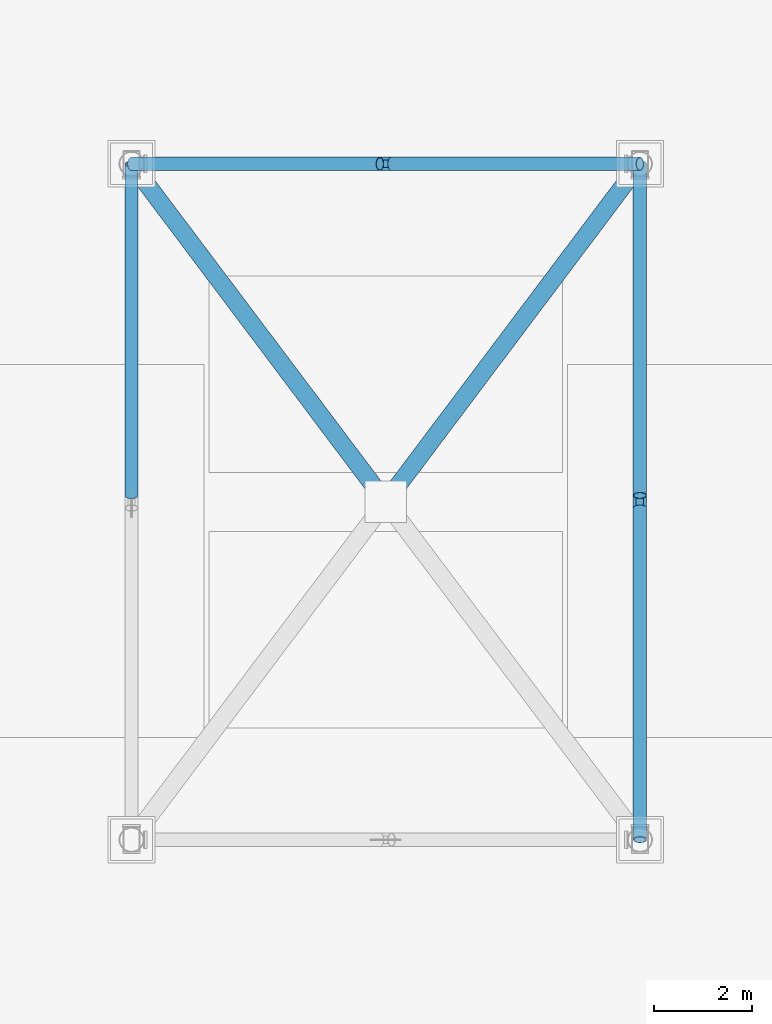
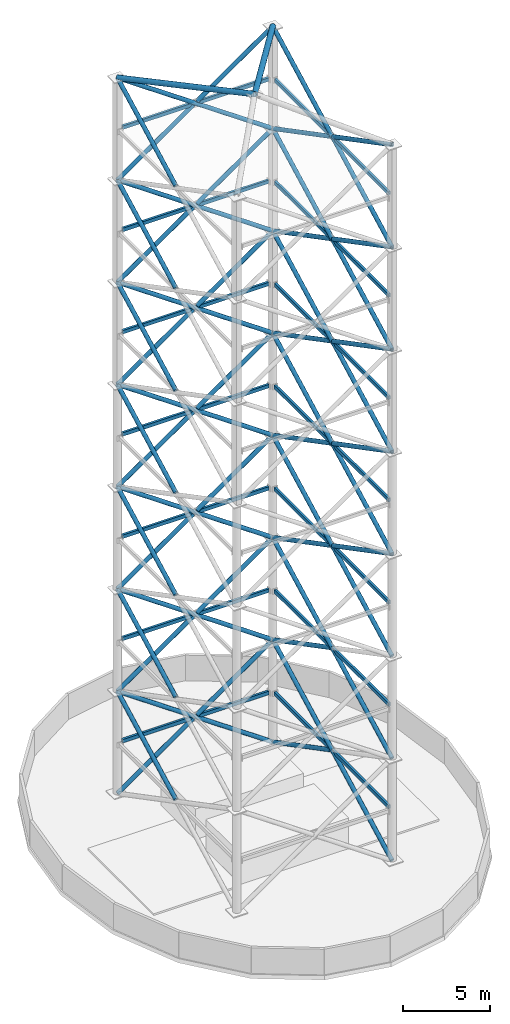
# One storey, part 2 of 7: 49 members, 14 beams.
"""IFC4 building model written with IfcOpenShell, lengths in metres."""

from ifc_helpers import new_model, si_unit, direction, frame, origin, origin_2d, place, context, subcontext, project, spatial, hollow_rectangle, hollow_circle, extrude, material, material_profile, profile_set, type_object, element, save


model = new_model("IFC4")

# Units and contexts
model_context = context("Model", 3, precision=1e-05, world=origin(), true_north=direction((0.0, 1.0)))
body_context = subcontext(model_context, "Body", "Model", "MODEL_VIEW")
ifc_project = project(units=[si_unit("LENGTHUNIT", "METRE"), si_unit("AREAUNIT", "SQUARE_METRE"), si_unit("VOLUMEUNIT", "CUBIC_METRE"), si_unit("PLANEANGLEUNIT", "RADIAN"), si_unit("MASSUNIT", "GRAM", prefix="KILO")], contexts=[model_context])

# Site, building, storey
site_placement = place(None, origin())
site = spatial("IfcSite", under=ifc_project, at=site_placement, CompositionType="ELEMENT")
building_placement = place(site_placement, origin())
building = spatial("IfcBuilding", under=site, at=building_placement, Name="Cununo Teusaquillo Station Towers", CompositionType="ELEMENT")
storey_placement = place(building_placement, frame((0.0, 0.0, 244.830078125)))
storey = spatial("IfcBuildingStorey", under=building, at=storey_placement, Name="Roof Drum", CompositionType="ELEMENT", Elevation=244.830078125)

# Beams
ifc_material_1 = material(Name="Steel EN 10025-2 S355J2", Category="steel")
ifc_material_profile_1 = material_profile(ifc_material_1, hollow_rectangle(XDim=0.14990234375, YDim=0.25, WallThickness=0.011962890625, at=origin_2d()), Name="RHS 250x150x12")
ifc_profile_set_1 = profile_set([ifc_material_profile_1], Name="Steel EN 10025-2 S355J2")
beam_type = type_object("IfcBeamType", Name="BM-MAST-RING", PredefinedType="BEAM", material=ifc_profile_set_1)
beam_1_placement = place(storey_placement, frame((21.675048828125, 17.908935546875, 3.599853515625), z_axis=(0.0, 1.0, 0.0), x_axis=(-1.0, 0.0, 0.0)))
element("IfcBeam", 1, at=beam_1_placement, inside=storey, type_object=beam_type, Name="Broadcast Mast Collar Ring Tier 1.2", PredefinedType="BEAM", context=body_context, shape_type="SweptSolid", body=[
    extrude(hollow_rectangle(XDim=0.14990234375, YDim=0.25, WallThickness=0.011962890625, at=origin_2d()), origin(), (0.0, 0.0, 1.0), 13.18212890625),
])
beam_2_placement = place(storey_placement, frame((21.385986328125, 31.3798828125, 3.599853515625), z_axis=(-1.0, 0.0, 0.0), x_axis=(0.0, -1.0, 0.0)))
element("IfcBeam", 2, at=beam_2_placement, inside=storey, type_object=beam_type, Name="Broadcast Mast Collar Ring Tier 1.3", PredefinedType="BEAM", context=body_context, shape_type="SweptSolid", body=[
    extrude(hollow_rectangle(XDim=0.14990234375, YDim=0.25, WallThickness=0.011962890625, at=origin_2d()), origin(), (0.0, 0.0, 1.0), 9.77197265625),
])
beam_3_placement = place(storey_placement, frame((21.675048828125, 17.908935546875, 10.7998046875), z_axis=(0.0, 1.0, 0.0), x_axis=(-1.0, 0.0, 0.0)))
element("IfcBeam", 3, at=beam_3_placement, inside=storey, type_object=beam_type, Name="Broadcast Mast Collar Ring Tier 2.2", PredefinedType="BEAM", context=body_context, shape_type="SweptSolid", body=[
    extrude(hollow_rectangle(XDim=0.14990234375, YDim=0.25, WallThickness=0.011962890625, at=origin_2d()), origin(), (0.0, 0.0, 1.0), 13.18212890625),
])
beam_4_placement = place(storey_placement, frame((21.385986328125, 31.3798828125, 10.7998046875), z_axis=(-1.0, 0.0, 0.0), x_axis=(0.0, -1.0, 0.0)))
element("IfcBeam", 4, at=beam_4_placement, inside=storey, type_object=beam_type, Name="Broadcast Mast Collar Ring Tier 2.3", PredefinedType="BEAM", context=body_context, shape_type="SweptSolid", body=[
    extrude(hollow_rectangle(XDim=0.14990234375, YDim=0.25, WallThickness=0.011962890625, at=origin_2d()), origin(), (0.0, 0.0, 1.0), 9.77197265625),
])
beam_5_placement = place(storey_placement, frame((21.675048828125, 17.908935546875, 18.0), z_axis=(0.0, 1.0, 0.0), x_axis=(-1.0, 0.0, 0.0)))
element("IfcBeam", 5, at=beam_5_placement, inside=storey, type_object=beam_type, Name="Broadcast Mast Collar Ring Tier 3.2", PredefinedType="BEAM", context=body_context, shape_type="SweptSolid", body=[
    extrude(hollow_rectangle(XDim=0.14990234375, YDim=0.25, WallThickness=0.011962890625, at=origin_2d()), origin(), (0.0, 0.0, 1.0), 13.18212890625),
])
beam_6_placement = place(storey_placement, frame((21.385986328125, 31.3798828125, 18.0), z_axis=(-1.0, 0.0, 0.0), x_axis=(0.0, -1.0, 0.0)))
element("IfcBeam", 6, at=beam_6_placement, inside=storey, type_object=beam_type, Name="Broadcast Mast Collar Ring Tier 3.3", PredefinedType="BEAM", context=body_context, shape_type="SweptSolid", body=[
    extrude(hollow_rectangle(XDim=0.14990234375, YDim=0.25, WallThickness=0.011962890625, at=origin_2d()), origin(), (0.0, 0.0, 1.0), 9.77197265625),
])
beam_7_placement = place(storey_placement, frame((21.675048828125, 17.908935546875, 25.199951171875), z_axis=(0.0, 1.0, 0.0), x_axis=(-1.0, 0.0, 0.0)))
element("IfcBeam", 7, at=beam_7_placement, inside=storey, type_object=beam_type, Name="Broadcast Mast Collar Ring Tier 4.2", PredefinedType="BEAM", context=body_context, shape_type="SweptSolid", body=[
    extrude(hollow_rectangle(XDim=0.14990234375, YDim=0.25, WallThickness=0.011962890625, at=origin_2d()), origin(), (0.0, 0.0, 1.0), 13.18212890625),
])
beam_8_placement = place(storey_placement, frame((21.385986328125, 31.3798828125, 25.199951171875), z_axis=(-1.0, 0.0, 0.0), x_axis=(0.0, -1.0, 0.0)))
element("IfcBeam", 8, at=beam_8_placement, inside=storey, type_object=beam_type, Name="Broadcast Mast Collar Ring Tier 4.3", PredefinedType="BEAM", context=body_context, shape_type="SweptSolid", body=[
    extrude(hollow_rectangle(XDim=0.14990234375, YDim=0.25, WallThickness=0.011962890625, at=origin_2d()), origin(), (0.0, 0.0, 1.0), 9.77197265625),
])
beam_9_placement = place(storey_placement, frame((21.675048828125, 17.929931640625, 32.39990234375), z_axis=(0.0, 1.0, 0.0), x_axis=(-1.0, 0.0, 0.0)))
element("IfcBeam", 9, at=beam_9_placement, inside=storey, type_object=beam_type, Name="Broadcast Mast Collar Ring Tier 5.2", PredefinedType="BEAM", context=body_context, shape_type="SweptSolid", body=[
    extrude(hollow_rectangle(XDim=0.14990234375, YDim=0.25, WallThickness=0.011962890625, at=origin_2d()), origin(), (0.0, 0.0, 1.0), 13.14013671875),
])
beam_10_placement = place(storey_placement, frame((21.364990234375, 31.3798828125, 32.39990234375), z_axis=(-1.0, 0.0, 0.0), x_axis=(0.0, -1.0, 0.0)))
element("IfcBeam", 10, at=beam_10_placement, inside=storey, type_object=beam_type, Name="Broadcast Mast Collar Ring Tier 5.3", PredefinedType="BEAM", context=body_context, shape_type="SweptSolid", body=[
    extrude(hollow_rectangle(XDim=0.14990234375, YDim=0.25, WallThickness=0.011962890625, at=origin_2d()), origin(), (0.0, 0.0, 1.0), 9.72998046875),
])
beam_11_placement = place(storey_placement, frame((21.675048828125, 17.929931640625, 39.599853515625), z_axis=(0.0, 1.0, 0.0), x_axis=(-1.0, 0.0, 0.0)))
element("IfcBeam", 11, at=beam_11_placement, inside=storey, type_object=beam_type, Name="Broadcast Mast Collar Ring Tier 6.2", PredefinedType="BEAM", context=body_context, shape_type="SweptSolid", body=[
    extrude(hollow_rectangle(XDim=0.14990234375, YDim=0.25, WallThickness=0.011962890625, at=origin_2d()), origin(), (0.0, 0.0, 1.0), 13.14013671875),
])
beam_12_placement = place(storey_placement, frame((21.364990234375, 31.3798828125, 39.599853515625), z_axis=(-1.0, 0.0, 0.0), x_axis=(0.0, -1.0, 0.0)))
element("IfcBeam", 12, at=beam_12_placement, inside=storey, type_object=beam_type, Name="Broadcast Mast Collar Ring Tier 6.3", PredefinedType="BEAM", context=body_context, shape_type="SweptSolid", body=[
    extrude(hollow_rectangle(XDim=0.14990234375, YDim=0.25, WallThickness=0.011962890625, at=origin_2d()), origin(), (0.0, 0.0, 1.0), 9.72998046875),
])
beam_13_placement = place(storey_placement, frame((21.675048828125, 17.929931640625, 46.7998046875), z_axis=(0.0, 1.0, 0.0), x_axis=(-1.0, 0.0, 0.0)))
element("IfcBeam", 13, at=beam_13_placement, inside=storey, type_object=beam_type, Name="Broadcast Mast Collar Ring Tier 7.2", PredefinedType="BEAM", context=body_context, shape_type="SweptSolid", body=[
    extrude(hollow_rectangle(XDim=0.14990234375, YDim=0.25, WallThickness=0.011962890625, at=origin_2d()), origin(), (0.0, 0.0, 1.0), 13.14013671875),
])
beam_14_placement = place(storey_placement, frame((21.364990234375, 31.3798828125, 46.7998046875), z_axis=(-1.0, 0.0, 0.0), x_axis=(0.0, -1.0, 0.0)))
element("IfcBeam", 14, at=beam_14_placement, inside=storey, type_object=beam_type, Name="Broadcast Mast Collar Ring Tier 7.3", PredefinedType="BEAM", context=body_context, shape_type="SweptSolid", body=[
    extrude(hollow_rectangle(XDim=0.14990234375, YDim=0.25, WallThickness=0.011962890625, at=origin_2d()), origin(), (0.0, 0.0, 1.0), 9.72998046875),
])

# Members
ifc_material_2 = material(Name="Steel EN 10025-2 S355J2", Category="steel")
ifc_material_profile_2 = material_profile(ifc_material_2, hollow_circle(Radius=0.136474609375, WallThickness=0.011962890625, at=origin_2d()), Name="CHS 273x12")
ifc_profile_set_2 = profile_set([ifc_material_profile_2], Name="Steel EN 10025-2 S355J2")
member_type_1 = type_object("IfcMemberType", Name="MBR-MAST-BR", PredefinedType="USERDEFINED", material=ifc_profile_set_2)
member_1_placement = place(storey_placement, frame((21.675048828125, 17.6201171875, 0.0), z_axis=(0.0, 0.886031153703, 0.463625705356), x_axis=(-1.0, 0.0, 0.0)))
element("IfcMember", 15, at=member_1_placement, inside=storey, type_object=member_type_1, Name="Broadcast Mast Continuous Lattice Brace Tier 1.2A", ObjectType="BROADCAST MAST", PredefinedType="USERDEFINED", context=body_context, shape_type="SweptSolid", body=[
    extrude(hollow_circle(Radius=0.136474609375, WallThickness=0.011962890625, at=origin_2d()), origin(), (0.0, 0.0, 1.0), 15.52978515625),
])
member_2_placement = place(storey_placement, frame((21.675048828125, 31.3798828125, 0.0), z_axis=(0.0, -0.886034636509, 0.463619049334), x_axis=(1.0, 0.0, 0.0)))
element("IfcMember", 16, at=member_2_placement, inside=storey, type_object=member_type_1, Name="Broadcast Mast Split Lattice Brace Tier 1.2B1", ObjectType="BROADCAST MAST", PredefinedType="USERDEFINED", context=body_context, shape_type="SweptSolid", body=[
    extrude(hollow_circle(Radius=0.136474609375, WallThickness=0.011962890625, at=origin_2d()), origin(), (0.0, 0.0, 1.0), 7.619873046875),
])
member_3_placement = place(storey_placement, frame((21.675048828125, 31.3798828125, 0.0), z_axis=(-0.820909543203, 0.0, 0.57105824736), x_axis=(0.0, -1.0, 0.0)))
element("IfcMember", 17, at=member_3_placement, inside=storey, type_object=member_type_1, Name="Broadcast Mast Continuous Lattice Brace Tier 1.3A", ObjectType="BROADCAST MAST", PredefinedType="USERDEFINED", context=body_context, shape_type="SweptSolid", body=[
    extrude(hollow_circle(Radius=0.136474609375, WallThickness=0.011962890625, at=origin_2d()), origin(), (0.0, 0.0, 1.0), 12.608154296875),
])
for number, where, z_axis, x_axis, name in (
    (18, (11.324951171875, 31.3798828125, 0.0), (0.820922975803, 0.0, 0.5710389372), (0.0, 1.0, 0.0), "Broadcast Mast Split Lattice Brace Tier 1.3B1"),
    (19, (16.618896484375, 31.3798828125, 3.6826171875), (0.820904393875, 0.0, 0.571065649568), (0.0, 1.0, 0.0), "Broadcast Mast Split Lattice Brace Tier 1.3B2"),
):
    element("IfcMember", number, at=place(storey_placement, frame(where, z_axis=z_axis, x_axis=x_axis)), inside=storey, type_object=member_type_1, Name=name, ObjectType="BROADCAST MAST", PredefinedType="USERDEFINED", context=body_context, shape_type="SweptSolid", body=[
        extrude(hollow_circle(Radius=0.136474609375, WallThickness=0.011962890625, at=origin_2d()), origin(), (0.0, 0.0, 1.0), 6.1591796875),
    ])
member_4_placement = place(storey_placement, frame((11.324951171875, 24.62841796875, 3.667236328125), z_axis=(0.0, 0.886034636509, 0.463619049334), x_axis=(-1.0, 0.0, 0.0)))
element("IfcMember", 20, at=member_4_placement, inside=storey, type_object=member_type_1, Name="Broadcast Mast Split Lattice Brace Tier 1.4B2", ObjectType="BROADCAST MAST", PredefinedType="USERDEFINED", context=body_context, shape_type="SweptSolid", body=[
    extrude(hollow_circle(Radius=0.136474609375, WallThickness=0.011962890625, at=origin_2d()), origin(), (0.0, 0.0, 1.0), 7.619873046875),
])
member_5_placement = place(storey_placement, frame((21.675048828125, 17.6201171875, 7.199951171875), z_axis=(0.0, 0.886031153703, 0.463625705356), x_axis=(-1.0, 0.0, 0.0)))
element("IfcMember", 21, at=member_5_placement, inside=storey, type_object=member_type_1, Name="Broadcast Mast Continuous Lattice Brace Tier 2.2A", ObjectType="BROADCAST MAST", PredefinedType="USERDEFINED", context=body_context, shape_type="SweptSolid", body=[
    extrude(hollow_circle(Radius=0.136474609375, WallThickness=0.011962890625, at=origin_2d()), origin(), (0.0, 0.0, 1.0), 15.52978515625),
])
member_6_placement = place(storey_placement, frame((21.675048828125, 31.3798828125, 7.199951171875), z_axis=(0.0, -0.886034636509, 0.463619049334), x_axis=(1.0, 0.0, 0.0)))
element("IfcMember", 22, at=member_6_placement, inside=storey, type_object=member_type_1, Name="Broadcast Mast Split Lattice Brace Tier 2.2B1", ObjectType="BROADCAST MAST", PredefinedType="USERDEFINED", context=body_context, shape_type="SweptSolid", body=[
    extrude(hollow_circle(Radius=0.136474609375, WallThickness=0.011962890625, at=origin_2d()), origin(), (0.0, 0.0, 1.0), 7.619873046875),
])
member_7_placement = place(storey_placement, frame((21.675048828125, 31.3798828125, 7.199951171875), z_axis=(-0.820909543203, 0.0, 0.57105824736), x_axis=(0.0, -1.0, 0.0)))
element("IfcMember", 23, at=member_7_placement, inside=storey, type_object=member_type_1, Name="Broadcast Mast Continuous Lattice Brace Tier 2.3A", ObjectType="BROADCAST MAST", PredefinedType="USERDEFINED", context=body_context, shape_type="SweptSolid", body=[
    extrude(hollow_circle(Radius=0.136474609375, WallThickness=0.011962890625, at=origin_2d()), origin(), (0.0, 0.0, 1.0), 12.608154296875),
])
for number, where, z_axis, x_axis, name in (
    (24, (11.324951171875, 31.3798828125, 7.199951171875), (0.820922975803, 0.0, 0.5710389372), (0.0, 1.0, 0.0), "Broadcast Mast Split Lattice Brace Tier 2.3B1"),
    (25, (16.618896484375, 31.3798828125, 10.8828125), (0.820922975803, 0.0, 0.5710389372), (0.0, 1.0, 0.0), "Broadcast Mast Split Lattice Brace Tier 2.3B2"),
):
    element("IfcMember", number, at=place(storey_placement, frame(where, z_axis=z_axis, x_axis=x_axis)), inside=storey, type_object=member_type_1, Name=name, ObjectType="BROADCAST MAST", PredefinedType="USERDEFINED", context=body_context, shape_type="SweptSolid", body=[
        extrude(hollow_circle(Radius=0.136474609375, WallThickness=0.011962890625, at=origin_2d()), origin(), (0.0, 0.0, 1.0), 6.1591796875),
    ])
member_8_placement = place(storey_placement, frame((11.324951171875, 24.62841796875, 10.8671875), z_axis=(0.0, 0.886034636509, 0.463619049334), x_axis=(-1.0, 0.0, 0.0)))
element("IfcMember", 26, at=member_8_placement, inside=storey, type_object=member_type_1, Name="Broadcast Mast Split Lattice Brace Tier 2.4B2", ObjectType="BROADCAST MAST", PredefinedType="USERDEFINED", context=body_context, shape_type="SweptSolid", body=[
    extrude(hollow_circle(Radius=0.136474609375, WallThickness=0.011962890625, at=origin_2d()), origin(), (0.0, 0.0, 1.0), 7.619873046875),
])
member_9_placement = place(storey_placement, frame((21.675048828125, 17.6201171875, 14.39990234375), z_axis=(0.0, 0.886031153703, 0.463625705356), x_axis=(-1.0, 0.0, 0.0)))
element("IfcMember", 27, at=member_9_placement, inside=storey, type_object=member_type_1, Name="Broadcast Mast Continuous Lattice Brace Tier 3.2A", ObjectType="BROADCAST MAST", PredefinedType="USERDEFINED", context=body_context, shape_type="SweptSolid", body=[
    extrude(hollow_circle(Radius=0.136474609375, WallThickness=0.011962890625, at=origin_2d()), origin(), (0.0, 0.0, 1.0), 15.52978515625),
])
for number, where, z_axis, x_axis, name in (
    (28, (21.675048828125, 31.3798828125, 14.39990234375), (0.0, -0.886034636509, 0.463619049334), (1.0, 0.0, 0.0), "Broadcast Mast Split Lattice Brace Tier 3.2B1"),
    (29, (21.675048828125, 24.37158203125, 18.067138671875), (0.0, -0.886034636509, 0.463619049334), (1.0, 0.0, 0.0), "Broadcast Mast Split Lattice Brace Tier 3.2B2"),
):
    element("IfcMember", number, at=place(storey_placement, frame(where, z_axis=z_axis, x_axis=x_axis)), inside=storey, type_object=member_type_1, Name=name, ObjectType="BROADCAST MAST", PredefinedType="USERDEFINED", context=body_context, shape_type="SweptSolid", body=[
        extrude(hollow_circle(Radius=0.136474609375, WallThickness=0.011962890625, at=origin_2d()), origin(), (0.0, 0.0, 1.0), 7.619873046875),
    ])
member_10_placement = place(storey_placement, frame((21.675048828125, 31.3798828125, 14.39990234375), z_axis=(-0.820909543203, 0.0, 0.57105824736), x_axis=(0.0, -1.0, 0.0)))
element("IfcMember", 30, at=member_10_placement, inside=storey, type_object=member_type_1, Name="Broadcast Mast Continuous Lattice Brace Tier 3.3A", ObjectType="BROADCAST MAST", PredefinedType="USERDEFINED", context=body_context, shape_type="SweptSolid", body=[
    extrude(hollow_circle(Radius=0.136474609375, WallThickness=0.011962890625, at=origin_2d()), origin(), (0.0, 0.0, 1.0), 12.608154296875),
])
for number, where, z_axis, x_axis, name in (
    (31, (11.324951171875, 31.3798828125, 14.39990234375), (0.820904393875, 0.0, 0.571065649568), (0.0, 1.0, 0.0), "Broadcast Mast Split Lattice Brace Tier 3.3B1"),
    (32, (16.618896484375, 31.3798828125, 18.082763671875), (0.820922975803, 0.0, 0.5710389372), (0.0, 1.0, 0.0), "Broadcast Mast Split Lattice Brace Tier 3.3B2"),
):
    element("IfcMember", number, at=place(storey_placement, frame(where, z_axis=z_axis, x_axis=x_axis)), inside=storey, type_object=member_type_1, Name=name, ObjectType="BROADCAST MAST", PredefinedType="USERDEFINED", context=body_context, shape_type="SweptSolid", body=[
        extrude(hollow_circle(Radius=0.136474609375, WallThickness=0.011962890625, at=origin_2d()), origin(), (0.0, 0.0, 1.0), 6.1591796875),
    ])
member_11_placement = place(storey_placement, frame((11.324951171875, 24.62841796875, 18.067138671875), z_axis=(0.0, 0.886034636509, 0.463619049334), x_axis=(-1.0, 0.0, 0.0)))
element("IfcMember", 33, at=member_11_placement, inside=storey, type_object=member_type_1, Name="Broadcast Mast Split Lattice Brace Tier 3.4B2", ObjectType="BROADCAST MAST", PredefinedType="USERDEFINED", context=body_context, shape_type="SweptSolid", body=[
    extrude(hollow_circle(Radius=0.136474609375, WallThickness=0.011962890625, at=origin_2d()), origin(), (0.0, 0.0, 1.0), 7.619873046875),
])
member_12_placement = place(storey_placement, frame((21.675048828125, 17.6201171875, 21.599853515625), z_axis=(0.0, 0.886031153703, 0.463625705356), x_axis=(-1.0, 0.0, 0.0)))
element("IfcMember", 34, at=member_12_placement, inside=storey, type_object=member_type_1, Name="Broadcast Mast Continuous Lattice Brace Tier 4.2A", ObjectType="BROADCAST MAST", PredefinedType="USERDEFINED", context=body_context, shape_type="SweptSolid", body=[
    extrude(hollow_circle(Radius=0.136474609375, WallThickness=0.011962890625, at=origin_2d()), origin(), (0.0, 0.0, 1.0), 15.52978515625),
])
for number, where, z_axis, x_axis, name in (
    (35, (21.675048828125, 31.3798828125, 21.599853515625), (0.0, -0.886021474868, 0.463644202026), (1.0, 0.0, 0.0), "Broadcast Mast Split Lattice Brace Tier 4.2B1"),
    (36, (21.675048828125, 24.37158203125, 25.26708984375), (0.0, -0.886034636509, 0.463619049334), (1.0, 0.0, 0.0), "Broadcast Mast Split Lattice Brace Tier 4.2B2"),
):
    element("IfcMember", number, at=place(storey_placement, frame(where, z_axis=z_axis, x_axis=x_axis)), inside=storey, type_object=member_type_1, Name=name, ObjectType="BROADCAST MAST", PredefinedType="USERDEFINED", context=body_context, shape_type="SweptSolid", body=[
        extrude(hollow_circle(Radius=0.136474609375, WallThickness=0.011962890625, at=origin_2d()), origin(), (0.0, 0.0, 1.0), 7.619873046875),
    ])
member_13_placement = place(storey_placement, frame((21.675048828125, 31.3798828125, 21.599853515625), z_axis=(-0.820909543203, 0.0, 0.57105824736), x_axis=(0.0, -1.0, 0.0)))
element("IfcMember", 37, at=member_13_placement, inside=storey, type_object=member_type_1, Name="Broadcast Mast Continuous Lattice Brace Tier 4.3A", ObjectType="BROADCAST MAST", PredefinedType="USERDEFINED", context=body_context, shape_type="SweptSolid", body=[
    extrude(hollow_circle(Radius=0.136474609375, WallThickness=0.011962890625, at=origin_2d()), origin(), (0.0, 0.0, 1.0), 12.608154296875),
])
for number, where, z_axis, x_axis, name in (
    (38, (11.324951171875, 31.3798828125, 21.599853515625), (0.820904393875, 0.0, 0.571065649568), (0.0, 1.0, 0.0), "Broadcast Mast Split Lattice Brace Tier 4.3B1"),
    (39, (16.618896484375, 31.3798828125, 25.28271484375), (0.820922975803, 0.0, 0.5710389372), (0.0, 1.0, 0.0), "Broadcast Mast Split Lattice Brace Tier 4.3B2"),
):
    element("IfcMember", number, at=place(storey_placement, frame(where, z_axis=z_axis, x_axis=x_axis)), inside=storey, type_object=member_type_1, Name=name, ObjectType="BROADCAST MAST", PredefinedType="USERDEFINED", context=body_context, shape_type="SweptSolid", body=[
        extrude(hollow_circle(Radius=0.136474609375, WallThickness=0.011962890625, at=origin_2d()), origin(), (0.0, 0.0, 1.0), 6.1591796875),
    ])
member_14_placement = place(storey_placement, frame((11.324951171875, 24.62841796875, 25.26708984375), z_axis=(0.0, 0.886034636509, 0.463619049334), x_axis=(-1.0, 0.0, 0.0)))
element("IfcMember", 40, at=member_14_placement, inside=storey, type_object=member_type_1, Name="Broadcast Mast Split Lattice Brace Tier 4.4B2", ObjectType="BROADCAST MAST", PredefinedType="USERDEFINED", context=body_context, shape_type="SweptSolid", body=[
    extrude(hollow_circle(Radius=0.136474609375, WallThickness=0.011962890625, at=origin_2d()), origin(), (0.0, 0.0, 1.0), 7.619873046875),
])
member_15_placement = place(storey_placement, frame((21.675048828125, 17.6201171875, 28.7998046875), z_axis=(0.0, 0.886024695717, 0.46363804695), x_axis=(-1.0, 0.0, 0.0)))
element("IfcMember", 41, at=member_15_placement, inside=storey, type_object=member_type_1, Name="Broadcast Mast Continuous Lattice Brace Tier 5.2A", ObjectType="BROADCAST MAST", PredefinedType="USERDEFINED", context=body_context, shape_type="SweptSolid", body=[
    extrude(hollow_circle(Radius=0.136474609375, WallThickness=0.011962890625, at=origin_2d()), origin(), (0.0, 0.0, 1.0), 15.52978515625),
])
for number, where, z_axis, x_axis, name in (
    (42, (21.675048828125, 31.3798828125, 28.7998046875), (0.0, -0.886021474868, 0.463644202026), (1.0, 0.0, 0.0), "Broadcast Mast Split Lattice Brace Tier 5.2B1"),
    (43, (21.675048828125, 24.37158203125, 32.467041015625), (0.0, -0.886021474868, 0.463644202026), (1.0, 0.0, 0.0), "Broadcast Mast Split Lattice Brace Tier 5.2B2"),
):
    element("IfcMember", number, at=place(storey_placement, frame(where, z_axis=z_axis, x_axis=x_axis)), inside=storey, type_object=member_type_1, Name=name, ObjectType="BROADCAST MAST", PredefinedType="USERDEFINED", context=body_context, shape_type="SweptSolid", body=[
        extrude(hollow_circle(Radius=0.136474609375, WallThickness=0.011962890625, at=origin_2d()), origin(), (0.0, 0.0, 1.0), 7.619873046875),
    ])
member_16_placement = place(storey_placement, frame((21.675048828125, 31.3798828125, 28.7998046875), z_axis=(-0.820900465692, 0.0, 0.571071296273), x_axis=(0.0, -1.0, 0.0)))
element("IfcMember", 44, at=member_16_placement, inside=storey, type_object=member_type_1, Name="Broadcast Mast Continuous Lattice Brace Tier 5.3A", ObjectType="BROADCAST MAST", PredefinedType="USERDEFINED", context=body_context, shape_type="SweptSolid", body=[
    extrude(hollow_circle(Radius=0.136474609375, WallThickness=0.011962890625, at=origin_2d()), origin(), (0.0, 0.0, 1.0), 12.608154296875),
])
for number, where, z_axis, x_axis, name in (
    (45, (11.324951171875, 31.3798828125, 28.7998046875), (0.820904393875, 0.0, 0.571065649568), (0.0, 1.0, 0.0), "Broadcast Mast Split Lattice Brace Tier 5.3B1"),
    (46, (16.618896484375, 31.3798828125, 32.482666015625), (0.820904393875, 0.0, 0.571065649568), (0.0, 1.0, 0.0), "Broadcast Mast Split Lattice Brace Tier 5.3B2"),
):
    element("IfcMember", number, at=place(storey_placement, frame(where, z_axis=z_axis, x_axis=x_axis)), inside=storey, type_object=member_type_1, Name=name, ObjectType="BROADCAST MAST", PredefinedType="USERDEFINED", context=body_context, shape_type="SweptSolid", body=[
        extrude(hollow_circle(Radius=0.136474609375, WallThickness=0.011962890625, at=origin_2d()), origin(), (0.0, 0.0, 1.0), 6.1591796875),
    ])
member_17_placement = place(storey_placement, frame((11.324951171875, 24.62841796875, 32.467041015625), z_axis=(0.0, 0.886021474868, 0.463644202026), x_axis=(-1.0, 0.0, 0.0)))
element("IfcMember", 47, at=member_17_placement, inside=storey, type_object=member_type_1, Name="Broadcast Mast Split Lattice Brace Tier 5.4B2", ObjectType="BROADCAST MAST", PredefinedType="USERDEFINED", context=body_context, shape_type="SweptSolid", body=[
    extrude(hollow_circle(Radius=0.136474609375, WallThickness=0.011962890625, at=origin_2d()), origin(), (0.0, 0.0, 1.0), 7.619873046875),
])
member_18_placement = place(storey_placement, frame((21.675048828125, 17.6201171875, 36.0), z_axis=(0.0, 0.886031153703, 0.463625705356), x_axis=(-1.0, 0.0, 0.0)))
element("IfcMember", 48, at=member_18_placement, inside=storey, type_object=member_type_1, Name="Broadcast Mast Continuous Lattice Brace Tier 6.2A", ObjectType="BROADCAST MAST", PredefinedType="USERDEFINED", context=body_context, shape_type="SweptSolid", body=[
    extrude(hollow_circle(Radius=0.136474609375, WallThickness=0.011962890625, at=origin_2d()), origin(), (0.0, 0.0, 1.0), 15.52978515625),
])
for number, where, z_axis, x_axis, name in (
    (49, (21.675048828125, 31.3798828125, 36.0), (0.0, -0.886034636509, 0.463619049334), (1.0, 0.0, 0.0), "Broadcast Mast Split Lattice Brace Tier 6.2B1"),
    (50, (21.675048828125, 24.37158203125, 39.667236328125), (0.0, -0.886034636509, 0.463619049334), (1.0, 0.0, 0.0), "Broadcast Mast Split Lattice Brace Tier 6.2B2"),
):
    element("IfcMember", number, at=place(storey_placement, frame(where, z_axis=z_axis, x_axis=x_axis)), inside=storey, type_object=member_type_1, Name=name, ObjectType="BROADCAST MAST", PredefinedType="USERDEFINED", context=body_context, shape_type="SweptSolid", body=[
        extrude(hollow_circle(Radius=0.136474609375, WallThickness=0.011962890625, at=origin_2d()), origin(), (0.0, 0.0, 1.0), 7.619873046875),
    ])
member_19_placement = place(storey_placement, frame((21.675048828125, 31.3798828125, 36.0), z_axis=(-0.820909543203, 0.0, 0.57105824736), x_axis=(0.0, -1.0, 0.0)))
element("IfcMember", 51, at=member_19_placement, inside=storey, type_object=member_type_1, Name="Broadcast Mast Continuous Lattice Brace Tier 6.3A", ObjectType="BROADCAST MAST", PredefinedType="USERDEFINED", context=body_context, shape_type="SweptSolid", body=[
    extrude(hollow_circle(Radius=0.136474609375, WallThickness=0.011962890625, at=origin_2d()), origin(), (0.0, 0.0, 1.0), 12.608154296875),
])
for number, where, z_axis, x_axis, name in (
    (52, (11.324951171875, 31.3798828125, 36.0), (0.820922975803, 0.0, 0.5710389372), (0.0, 1.0, 0.0), "Broadcast Mast Split Lattice Brace Tier 6.3B1"),
    (53, (16.618896484375, 31.3798828125, 39.6826171875), (0.820904393875, 0.0, 0.571065649568), (0.0, 1.0, 0.0), "Broadcast Mast Split Lattice Brace Tier 6.3B2"),
):
    element("IfcMember", number, at=place(storey_placement, frame(where, z_axis=z_axis, x_axis=x_axis)), inside=storey, type_object=member_type_1, Name=name, ObjectType="BROADCAST MAST", PredefinedType="USERDEFINED", context=body_context, shape_type="SweptSolid", body=[
        extrude(hollow_circle(Radius=0.136474609375, WallThickness=0.011962890625, at=origin_2d()), origin(), (0.0, 0.0, 1.0), 6.1591796875),
    ])
member_20_placement = place(storey_placement, frame((11.324951171875, 24.62841796875, 39.667236328125), z_axis=(0.0, 0.886034636509, 0.463619049334), x_axis=(-1.0, 0.0, 0.0)))
element("IfcMember", 54, at=member_20_placement, inside=storey, type_object=member_type_1, Name="Broadcast Mast Split Lattice Brace Tier 6.4B2", ObjectType="BROADCAST MAST", PredefinedType="USERDEFINED", context=body_context, shape_type="SweptSolid", body=[
    extrude(hollow_circle(Radius=0.136474609375, WallThickness=0.011962890625, at=origin_2d()), origin(), (0.0, 0.0, 1.0), 7.619873046875),
])
member_21_placement = place(storey_placement, frame((21.675048828125, 17.6201171875, 43.199951171875), z_axis=(0.0, 0.886031153703, 0.463625705356), x_axis=(-1.0, 0.0, 0.0)))
element("IfcMember", 55, at=member_21_placement, inside=storey, type_object=member_type_1, Name="Broadcast Mast Continuous Lattice Brace Tier 7.2A", ObjectType="BROADCAST MAST", PredefinedType="USERDEFINED", context=body_context, shape_type="SweptSolid", body=[
    extrude(hollow_circle(Radius=0.136474609375, WallThickness=0.011962890625, at=origin_2d()), origin(), (0.0, 0.0, 1.0), 15.52978515625),
])
for number, where, z_axis, x_axis, name in (
    (56, (21.675048828125, 31.3798828125, 43.199951171875), (0.0, -0.886034636509, 0.463619049334), (1.0, 0.0, 0.0), "Broadcast Mast Split Lattice Brace Tier 7.2B1"),
    (57, (21.675048828125, 24.37158203125, 46.8671875), (0.0, -0.886034636509, 0.463619049334), (1.0, 0.0, 0.0), "Broadcast Mast Split Lattice Brace Tier 7.2B2"),
):
    element("IfcMember", number, at=place(storey_placement, frame(where, z_axis=z_axis, x_axis=x_axis)), inside=storey, type_object=member_type_1, Name=name, ObjectType="BROADCAST MAST", PredefinedType="USERDEFINED", context=body_context, shape_type="SweptSolid", body=[
        extrude(hollow_circle(Radius=0.136474609375, WallThickness=0.011962890625, at=origin_2d()), origin(), (0.0, 0.0, 1.0), 7.619873046875),
    ])
member_22_placement = place(storey_placement, frame((21.675048828125, 31.3798828125, 43.199951171875), z_axis=(-0.820909543203, 0.0, 0.57105824736), x_axis=(0.0, -1.0, 0.0)))
element("IfcMember", 58, at=member_22_placement, inside=storey, type_object=member_type_1, Name="Broadcast Mast Continuous Lattice Brace Tier 7.3A", ObjectType="BROADCAST MAST", PredefinedType="USERDEFINED", context=body_context, shape_type="SweptSolid", body=[
    extrude(hollow_circle(Radius=0.136474609375, WallThickness=0.011962890625, at=origin_2d()), origin(), (0.0, 0.0, 1.0), 12.608154296875),
])
for number, where, z_axis, x_axis, name in (
    (59, (11.324951171875, 31.3798828125, 43.199951171875), (0.820922975803, 0.0, 0.5710389372), (0.0, 1.0, 0.0), "Broadcast Mast Split Lattice Brace Tier 7.3B1"),
    (60, (16.618896484375, 31.3798828125, 46.8828125), (0.820922975803, 0.0, 0.5710389372), (0.0, 1.0, 0.0), "Broadcast Mast Split Lattice Brace Tier 7.3B2"),
):
    element("IfcMember", number, at=place(storey_placement, frame(where, z_axis=z_axis, x_axis=x_axis)), inside=storey, type_object=member_type_1, Name=name, ObjectType="BROADCAST MAST", PredefinedType="USERDEFINED", context=body_context, shape_type="SweptSolid", body=[
        extrude(hollow_circle(Radius=0.136474609375, WallThickness=0.011962890625, at=origin_2d()), origin(), (0.0, 0.0, 1.0), 6.1591796875),
    ])
member_23_placement = place(storey_placement, frame((11.324951171875, 24.62841796875, 46.8671875), z_axis=(0.0, 0.886034636509, 0.463619049334), x_axis=(-1.0, 0.0, 0.0)))
element("IfcMember", 61, at=member_23_placement, inside=storey, type_object=member_type_1, Name="Broadcast Mast Split Lattice Brace Tier 7.4B2", ObjectType="BROADCAST MAST", PredefinedType="USERDEFINED", context=body_context, shape_type="SweptSolid", body=[
    extrude(hollow_circle(Radius=0.136474609375, WallThickness=0.011962890625, at=origin_2d()), origin(), (0.0, 0.0, 1.0), 7.619873046875),
])
ifc_material_3 = material(Name="Steel EN 10025-2 S355J2", Category="steel")
ifc_material_profile_3 = material_profile(ifc_material_3, hollow_circle(Radius=0.177978515625, WallThickness=0.013916015625, at=origin_2d()), Name="CHS 356x14")
ifc_profile_set_3 = profile_set([ifc_material_profile_3], Name="Steel EN 10025-2 S355J2")
member_type_2 = type_object("IfcMemberType", Name="MBR-MAST-PIN", PredefinedType="USERDEFINED", material=ifc_profile_set_3)
for number, where, z_axis, x_axis, name in (
    (62, (21.675048828125, 31.3798828125, 50.39990234375), (-0.595369104074, -0.791503578469, 0.138049683754), (0.799155246197, -0.601124689625, 0.0), "Broadcast Mast Pinnacle Crown Strut 3"),
    (63, (11.324951171875, 31.3798828125, 50.39990234375), (0.595369104074, -0.791503578469, 0.138049683754), (0.799155246197, 0.601124689625, 0.0), "Broadcast Mast Pinnacle Crown Strut 4"),
):
    element("IfcMember", number, at=place(storey_placement, frame(where, z_axis=z_axis, x_axis=x_axis)), inside=storey, type_object=member_type_2, Name=name, ObjectType="BROADCAST MAST", PredefinedType="USERDEFINED", context=body_context, shape_type="SweptSolid", body=[
        extrude(hollow_circle(Radius=0.177978515625, WallThickness=0.013916015625, at=origin_2d()), origin(), (0.0, 0.0, 1.0), 8.692138671875),
    ])

save(model, "model.ifc")
